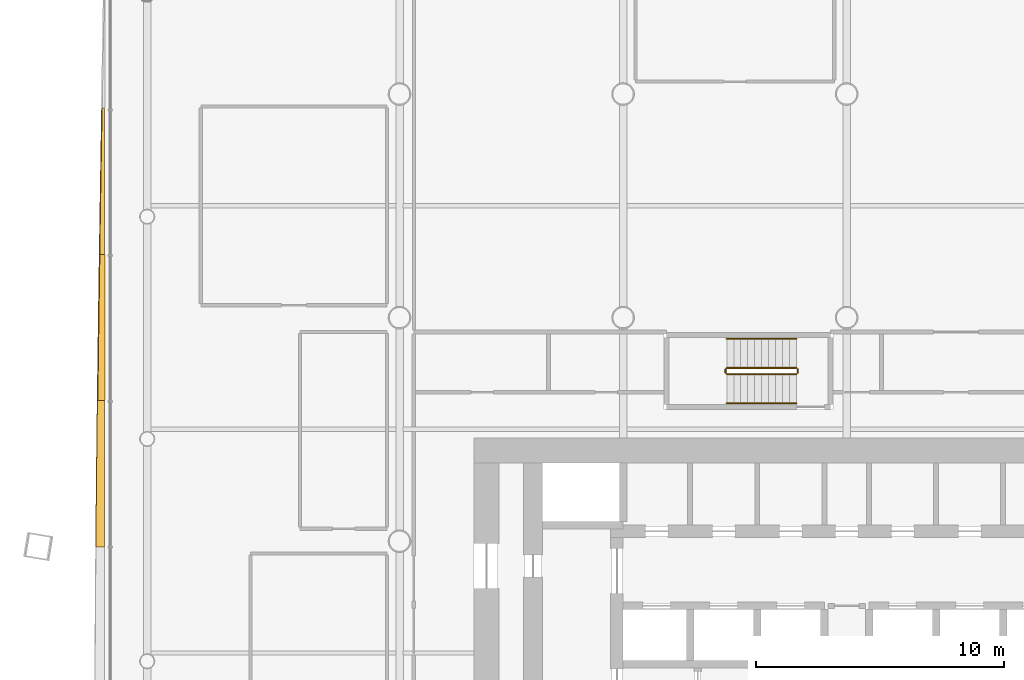
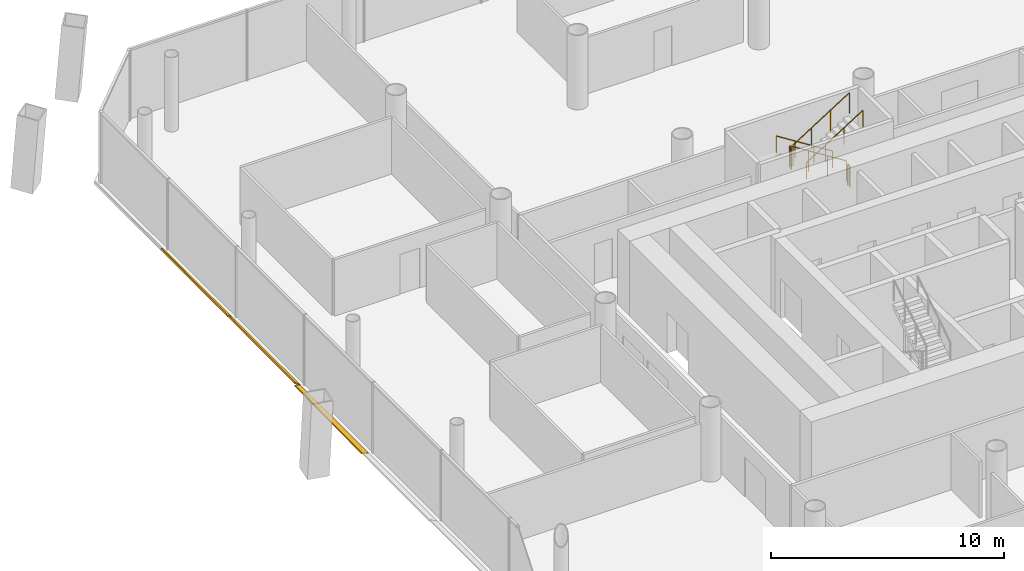
# One storey, part 20 of 21: 6 railings, 3 shading devices.
"""IFC4 building model written with IfcOpenShell, lengths in metres."""

from ifc_helpers import new_model, si_unit, direction, frame, origin, origin_2d, place, context, subcontext, project, spatial, polyline, circle, outline, extrude, material, layer, layer_set, type_object, element, save


model = new_model("IFC4")

# Units and contexts
model_context = context("Model", 3, precision=1e-05, world=origin(), true_north=direction((0.0, 1.0)))
body_context = subcontext(model_context, "Body", "Model", "MODEL_VIEW")
ifc_project = project(units=[si_unit("LENGTHUNIT", "METRE"), si_unit("AREAUNIT", "SQUARE_METRE"), si_unit("VOLUMEUNIT", "CUBIC_METRE"), si_unit("PLANEANGLEUNIT", "RADIAN"), si_unit("MASSUNIT", "GRAM", prefix="KILO")], contexts=[model_context])

# Site, building, storey
site_placement = place(None, origin())
site = spatial("IfcSite", under=ifc_project, at=site_placement, CompositionType="ELEMENT")
building_placement = place(site_placement, origin())
building = spatial("IfcBuilding", under=site, at=building_placement, Name="Tskaro Facet Tower", CompositionType="ELEMENT")
storey_placement = place(building_placement, frame((0.0, 0.0, 38.10009765625)))
storey = spatial("IfcBuildingStorey", under=building, at=storey_placement, Name="L08", CompositionType="ELEMENT", Elevation=38.10009765625)

# Shading devices
ifc_material_1 = material(Name="Bronze anodised aluminium 6063-T6", Category="aluminium")
ifc_layer = layer(ifc_material_1, 0.06005859375, Name="Bronze anodised aluminium 6063-T6")
ifc_layer_set = layer_set([ifc_layer], Name="Bronze anodised aluminium 6063-T6")
shading_device_type = type_object("IfcShadingDeviceType", Name="Bronze sun blade (FN1)", PredefinedType="USERDEFINED", material=ifc_layer_set)
shading_device_1_placement = place(storey_placement, frame((-29.86962890625, 17.444580078125, 0.049072265625), z_axis=(0.573872065355, -2.189452e-06, 0.818944963109), x_axis=(-1.256466e-06, -0.999999999998, -1.793041e-06)))
element("IfcShadingDevice", 1, at=shading_device_1_placement, inside=storey, type_object=shading_device_type, Name="Fin blade west 2", ObjectType="FIN", PredefinedType="USERDEFINED", context=body_context, shape_type="SweptSolid", body=[
    extrude(outline(polyline([(0.0, 0.0), (5.894531249985872, 0.0), (5.894531249984977, -0.23908934598258874), (5.157714843634179, -0.22540883465581274), (4.420898437721135, -0.21158821784433068), (3.6840820311945817, -0.19736772556257987), (2.9472656251057834, -0.18300712779612296), (2.210449218710231, -0.16844659229453168), (1.4736328124456775, -0.15354601357309994), (0.7368164061811245, -0.1386454348516682), (-8.342858513417717e-11, -0.12374485613023647), (0.0, 0.0)])), origin(), (0.0, 0.0, -1.0), 0.06005859375),
])
shading_device_2_placement = place(storey_placement, frame((-29.865478515625, 11.550048828125, 0.0458984375), z_axis=(0.642867131124, -6.36461e-06, 0.76597770965), x_axis=(-4.091599e-06, -0.99999999998, -4.87515e-06)))
element("IfcShadingDevice", 2, at=shading_device_2_placement, inside=storey, type_object=shading_device_type, Name="Fin blade west 3", ObjectType="FIN", PredefinedType="USERDEFINED", context=body_context, shape_type="SweptSolid", body=[
    extrude(outline(polyline([(0.0, 0.0), (5.894531249880611, 0.0), (5.894531250378319, -0.3620124643928305), (5.157714843080958, -0.3500407763966102), (4.420898437165116, -0.3375681821572408), (3.684082031440571, -0.32475163165791), (2.9472656249083973, -0.31140411862184403), (2.210449218376223, -0.298056605585778), (1.473632813225568, -0.28420818630656297), (0.736816406077062, -0.26998575447380035), (1.187779369262653e-10, -0.25560637265785013), (0.0, 0.0)])), origin(), (0.0, 0.0, -1.0), 0.06005859375),
])
shading_device_3_placement = place(storey_placement, frame((-29.883544921875, 5.655517578125, 0.056396484375), z_axis=(0.34178754049, 3.028557e-06, 0.939777248691), x_axis=(1.035123e-06, -0.999999999995, 2.846169e-06)))
element("IfcShadingDevice", 3, at=shading_device_3_placement, inside=storey, type_object=shading_device_type, Name="Fin blade west 4", ObjectType="FIN", PredefinedType="USERDEFINED", context=body_context, shape_type="SweptSolid", body=[
    extrude(outline(polyline([(0.0, 0.0), (5.894531249972967, -1.2482155443425188e-21), (5.894531249984231, -0.3621425214135843), (5.157714843612277, -0.35511325844491226), (4.420898437745753, -0.347625119866526), (3.6840820314370792, -0.33982409925952967), (2.9472656249389715, -0.3314807588190661), (2.2104492186935794, -0.3229079805737454), (1.4736328120060374, -0.3140223202998147), (0.7368164065187919, -0.3047612286399226), (-1.0546882798200191e-10, -0.29510381072766756), (0.0, 0.0)])), origin(), (0.0, 0.0, -1.0), 0.06005859375),
])

# Railings
ifc_material_2 = material(Name="Stainless steel", Category="steel")
railing_type_1 = type_object("IfcRailingType", Name="RL-GUARD-1100", PredefinedType="GUARDRAIL", material=ifc_material_2)
railing_1_placement = place(storey_placement, frame((-2.02490234375, 6.97509765625, 0.17724609375)))
element("IfcRailing", 4, at=railing_1_placement, inside=storey, type_object=railing_type_1, Name="L08 ST-3 stair guard 1", PredefinedType="GUARDRAIL", context=body_context, shape_type="SweptSolid", body=[
    extrude(circle(Radius=0.02392578125, at=origin_2d()), frame((0.0, 0.0, 1.076171875), z_axis=(-0.844908973607, 0.0, 0.534910110503), x_axis=(0.0, -1.0, 0.0)), (0.0, 0.0, 1.0), 3.31396484375),
    extrude(circle(Radius=0.02099609375, at=origin_2d()), origin(), (0.0, 0.0, 1.0), 1.052001953125),
    extrude(circle(Radius=0.02099609375, at=origin_2d()), frame((-0.933349609375, 0.0, 0.5908203125)), (0.0, 0.0, 1.0), 1.052001953125),
    extrude(circle(Radius=0.02099609375, at=origin_2d()), frame((-1.86669921875, 0.0, 1.181884765625)), (0.0, 0.0, 1.0), 1.052001953125),
    extrude(circle(Radius=0.02099609375, at=origin_2d()), frame((-2.800048828125, 0.0, 1.772705078125)), (0.0, 0.0, 1.0), 1.052001953125),
])
railing_2_placement = place(storey_placement, frame((-4.875, 6.925048828125, 1.949951171875)))
element("IfcRailing", 5, at=railing_2_placement, inside=storey, type_object=railing_type_1, Name="L08 ST-3 stair guard 2", PredefinedType="GUARDRAIL", context=body_context, shape_type="SweptSolid", body=[
    extrude(circle(Radius=0.02392578125, at=origin_2d()), frame((0.0, 0.0, 1.076171875), z_axis=(0.0, -1.0, 0.0), x_axis=(1.0, 0.0, 0.0)), (0.0, 0.0, 1.0), 0.150146484375),
    extrude(circle(Radius=0.02099609375, at=origin_2d()), origin(), (0.0, 0.0, 1.0), 1.052001953125),
    extrude(circle(Radius=0.02099609375, at=origin_2d()), frame((0.0, -0.150146484375, 0.0)), (0.0, 0.0, 1.0), 1.052001953125),
])
railing_3_placement = place(storey_placement, frame((-4.824951171875, 6.72509765625, 2.127197265625)))
element("IfcRailing", 6, at=railing_3_placement, inside=storey, type_object=railing_type_1, Name="L08 ST-3 stair guard 3", PredefinedType="GUARDRAIL", context=body_context, shape_type="SweptSolid", body=[
    extrude(circle(Radius=0.02392578125, at=origin_2d()), frame((0.0, 0.0, 1.076171875), z_axis=(0.844908973607, 0.0, 0.534910110503), x_axis=(0.0, 1.0, 0.0)), (0.0, 0.0, 1.0), 3.31396484375),
    extrude(circle(Radius=0.02099609375, at=origin_2d()), origin(), (0.0, 0.0, 1.0), 1.052001953125),
    extrude(circle(Radius=0.02099609375, at=origin_2d()), frame((0.933349609375, 0.0, 0.5908203125)), (0.0, 0.0, 1.0), 1.052001953125),
    extrude(circle(Radius=0.02099609375, at=origin_2d()), frame((1.86669921875, 0.0, 1.181884765625)), (0.0, 0.0, 1.0), 1.052001953125),
    extrude(circle(Radius=0.02099609375, at=origin_2d()), frame((2.800048828125, 0.0, 1.772705078125)), (0.0, 0.0, 1.0), 1.052001953125),
])
railing_4_placement = place(storey_placement, frame((-1.97509765625, 6.925048828125, 0.0)))
element("IfcRailing", 7, at=railing_4_placement, inside=storey, type_object=railing_type_1, Name="L08 ST-3 stair guard 4", PredefinedType="GUARDRAIL", context=body_context, shape_type="SweptSolid", body=[
    extrude(circle(Radius=0.02392578125, at=origin_2d()), frame((0.0, 0.0, 1.076171875), z_axis=(0.0, -1.0, 0.0), x_axis=(1.0, 0.0, 0.0)), (0.0, 0.0, 1.0), 0.150146484375),
    extrude(circle(Radius=0.02099609375, at=origin_2d()), origin(), (0.0, 0.0, 1.0), 1.052001953125),
    extrude(circle(Radius=0.02099609375, at=origin_2d()), frame((0.0, -0.150146484375, 0.0)), (0.0, 0.0, 1.0), 1.052001953125),
])
railing_type_2 = type_object("IfcRailingType", Name="RL-HANDRAIL-900", PredefinedType="HANDRAIL", material=ifc_material_2)
railing_5_placement = place(storey_placement, frame((-2.02490234375, 8.14990234375, 0.17724609375)))
element("IfcRailing", 8, at=railing_5_placement, inside=storey, type_object=railing_type_2, Name="L08 ST-3 stair handrail 1", PredefinedType="HANDRAIL", context=body_context, shape_type="SweptSolid", body=[
    extrude(circle(Radius=0.02392578125, at=origin_2d()), frame((0.0, 0.0, 0.8759765625), z_axis=(-0.844908973607, 0.0, 0.534910110503), x_axis=(0.0, -1.0, 0.0)), (0.0, 0.0, 1.0), 3.31396484375),
    extrude(circle(Radius=0.02099609375, at=origin_2d()), origin(), (0.0, 0.0, 1.0), 0.851806640625),
    extrude(circle(Radius=0.02099609375, at=origin_2d()), frame((-0.933349609375, 0.0, 0.5908203125)), (0.0, 0.0, 1.0), 0.851806640625),
    extrude(circle(Radius=0.02099609375, at=origin_2d()), frame((-1.86669921875, 0.0, 1.181884765625)), (0.0, 0.0, 1.0), 0.851806640625),
    extrude(circle(Radius=0.02099609375, at=origin_2d()), frame((-2.800048828125, 0.0, 1.772705078125)), (0.0, 0.0, 1.0), 0.851806640625),
])
railing_6_placement = place(storey_placement, frame((-4.824951171875, 5.550048828125, 2.127197265625)))
element("IfcRailing", 9, at=railing_6_placement, inside=storey, type_object=railing_type_2, Name="L08 ST-3 stair handrail 2", PredefinedType="HANDRAIL", context=body_context, shape_type="SweptSolid", body=[
    extrude(circle(Radius=0.02392578125, at=origin_2d()), frame((0.0, 0.0, 0.8759765625), z_axis=(0.844908973607, 0.0, 0.534910110503), x_axis=(0.0, 1.0, 0.0)), (0.0, 0.0, 1.0), 3.31396484375),
    extrude(circle(Radius=0.02099609375, at=origin_2d()), origin(), (0.0, 0.0, 1.0), 0.851806640625),
    extrude(circle(Radius=0.02099609375, at=origin_2d()), frame((0.933349609375, 0.0, 0.5908203125)), (0.0, 0.0, 1.0), 0.851806640625),
    extrude(circle(Radius=0.02099609375, at=origin_2d()), frame((1.86669921875, 0.0, 1.181884765625)), (0.0, 0.0, 1.0), 0.851806640625),
    extrude(circle(Radius=0.02099609375, at=origin_2d()), frame((2.800048828125, 0.0, 1.772705078125)), (0.0, 0.0, 1.0), 0.851806640625),
])

save(model, "model.ifc")
